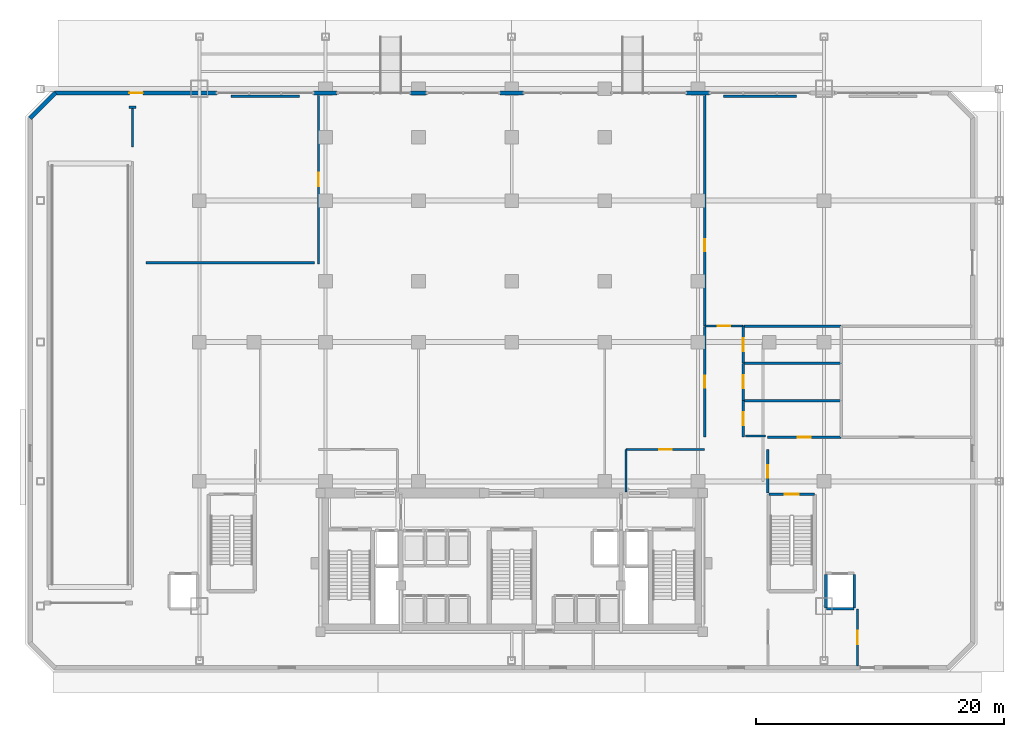
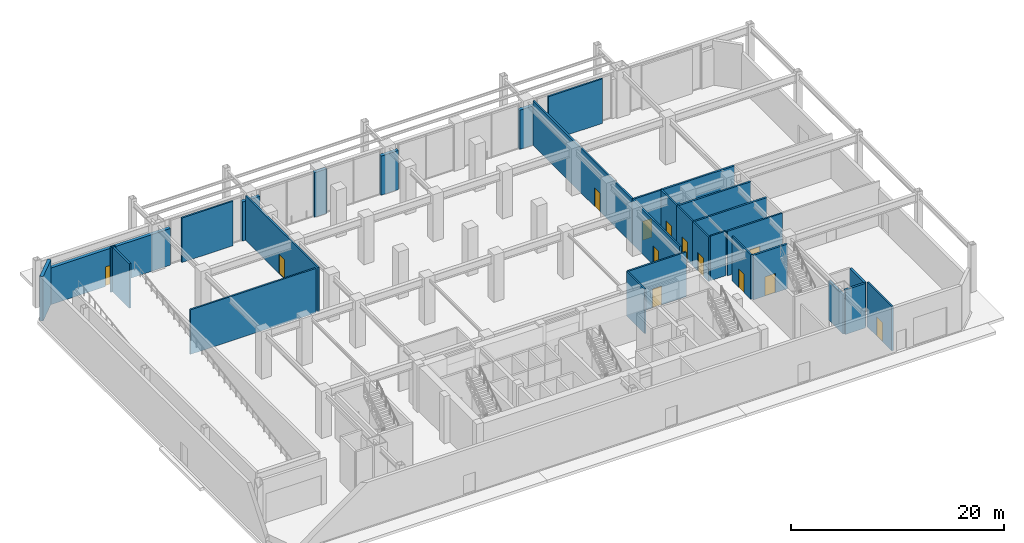
# One storey, part 18 of 23: 31 walls, 13 doors, 13 openings.
"""IFC4 building model written with IfcOpenShell, lengths in metres."""

from ifc_helpers import new_model, si_unit, direction, frame, frame_2d, origin, place, context, subcontext, project, spatial, rectangle, extrude, material, layer, layer_set, type_object, element, fill, save


model = new_model("IFC4")

# Units and contexts
model_context = context("Model", 3, precision=1e-05, world=origin(), true_north=direction((0.0, 1.0)))
body_context = subcontext(model_context, "Body", "Model", "MODEL_VIEW")
ifc_project = project(units=[si_unit("LENGTHUNIT", "METRE"), si_unit("AREAUNIT", "SQUARE_METRE"), si_unit("VOLUMEUNIT", "CUBIC_METRE"), si_unit("PLANEANGLEUNIT", "RADIAN"), si_unit("MASSUNIT", "GRAM", prefix="KILO")], contexts=[model_context])

# Site, building, storey
site_placement = place(None, origin())
site = spatial("IfcSite", under=ifc_project, at=site_placement, CompositionType="ELEMENT")
building_placement = place(site_placement, origin())
building = spatial("IfcBuilding", under=site, at=building_placement, Name="Ventersveld Concourse Tower", CompositionType="ELEMENT")
storey_placement = place(building_placement, origin())
storey = spatial("IfcBuildingStorey", under=building, at=storey_placement, Name="L00", CompositionType="ELEMENT", Elevation=0.0)

# Wall, opening, door
ifc_material_1 = material(Name="Fire-rated autoclaved aerated masonry blockwork", Category="masonry")
ifc_layer_1 = layer(ifc_material_1, 0.179931640625)
ifc_layer_set_1 = layer_set([ifc_layer_1], Name="Fire-rated autoclaved aerated masonry blockwork")
wall_type_1 = type_object("IfcWallType", Name="WL-CORR-180", PredefinedType="PARTITIONING", material=ifc_layer_set_1)
wall_1_placement = place(storey_placement, frame((13.199951171875, 29.905029296875, 0.0), z_axis=(0.0, 0.0, 1.0), x_axis=(0.0, 1.0, 0.0)))
wall_1 = element("IfcWall", 1, at=wall_1_placement, inside=storey, type_object=wall_type_1, Name="L00 Interior Partition SP-L00-CONC-SP-L00-FCC", PredefinedType="PARTITIONING", context=body_context, shape_type="SweptSolid", body=[
    extrude(rectangle(XDim=13.590087890625, YDim=0.179931640625, at=frame_2d((6.794921875, 0.0))), origin(), (0.0, 0.0, 1.0), 5.10009765625),
])
opening_1_placement = place(wall_1_placement, frame((6.2451171875, 0.0, 0.0)))
opening_1 = element("IfcOpeningElement", 2, at=opening_1_placement, cuts=wall_1, Name="Opening FD2", PredefinedType="OPENING", context=body_context, shape_type="SweptSolid", body=[
    extrude(rectangle(XDim=1.10009765625, YDim=2.199951171875, at=frame_2d((0.550048828125, 1.10009765625))), frame((0.0, 0.10009765625, 0.0), z_axis=(0.0, -1.0, 0.0), x_axis=(1.0, 0.0, 0.0)), (0.0, 0.0, 1.0), 0.199951171875),
])
ifc_material_2 = material(Name="Galvanised painted steel", Category="steel")
door_type_1 = type_object("IfcDoorType", Name="DR-FFL-110", OperationType="NOTDEFINED", PredefinedType="DOOR", material=ifc_material_2)
door_1_placement = place(opening_1_placement, origin())
door_1 = element("IfcDoor", 3, at=door_1_placement, inside=storey, type_object=door_type_1, Name="L00 Interior Door SP-L00-CONC to SP-L00-FCC (FD-L00-0060)", OperationType="SINGLE_SWING_RIGHT", OverallHeight=2.199951171875, OverallWidth=1.10009765625, PredefinedType="DOOR", context=body_context, shape_type="SweptSolid", body=[
    extrude(rectangle(XDim=1.10009765625, YDim=2.199951171875, at=frame_2d((0.550048828125, 1.10009765625))), frame((0.0, 0.02490234375, 0.0), z_axis=(0.0, -1.0, 0.0), x_axis=(1.0, 0.0, 0.0)), (0.0, 0.0, 1.0), 0.050048828125),
])
fill(opening_1, door_1)

wall_2_placement = place(storey_placement, frame((44.300048828125, 24.905029296875, 0.0), z_axis=(0.0, 0.0, 1.0), x_axis=(0.0, 1.0, 0.0)))
wall_2 = element("IfcWall", 4, at=wall_2_placement, inside=storey, type_object=wall_type_1, Name="L00 Interior Partition SP-L00-CONC-SP-L00-RET1", PredefinedType="PARTITIONING", context=body_context, shape_type="SweptSolid", body=[
    extrude(rectangle(XDim=18.590087890625, YDim=0.179931640625, at=frame_2d((9.294921875, 0.0))), origin(), (0.0, 0.0, 1.0), 5.10009765625),
])
opening_2_placement = place(wall_2_placement, frame((6.006591796875, 0.0, 0.0)))
opening_2 = element("IfcOpeningElement", 5, at=opening_2_placement, cuts=wall_2, Name="Opening FD3", PredefinedType="OPENING", context=body_context, shape_type="SweptSolid", body=[
    extrude(rectangle(XDim=1.0, YDim=2.14990234375, at=frame_2d((0.5, 1.074951171875))), frame((0.0, 0.10009765625, 0.0), z_axis=(0.0, -1.0, 0.0), x_axis=(1.0, 0.0, 0.0)), (0.0, 0.0, 1.0), 0.199951171875),
])
ifc_material_3 = material(Name="Solid-core hardwood veneer timber", Category="wood")
door_type_2 = type_object("IfcDoorType", Name="DR-FLAT-100", OperationType="NOTDEFINED", PredefinedType="DOOR", material=ifc_material_3)
door_2_placement = place(opening_2_placement, origin())
door_2 = element("IfcDoor", 6, at=door_2_placement, inside=storey, type_object=door_type_2, Name="L00 Interior Door SP-L00-CONC to SP-L00-RET1 (D-L00-0061)", OperationType="SINGLE_SWING_LEFT", OverallHeight=2.14990234375, OverallWidth=1.0, PredefinedType="DOOR", context=body_context, shape_type="SweptSolid", body=[
    extrude(rectangle(XDim=1.0, YDim=2.14990234375, at=frame_2d((0.5, 1.074951171875))), frame((0.0, 0.02490234375, 0.0), z_axis=(0.0, -1.0, 0.0), x_axis=(1.0, 0.0, 0.0)), (0.0, 0.0, 1.0), 0.050048828125),
])
fill(opening_2, door_2)

wall_3_placement = place(storey_placement, frame((44.300048828125, 15.955078125, 0.0), z_axis=(0.0, 0.0, 1.0), x_axis=(0.0, 1.0, 0.0)))
wall_3 = element("IfcWall", 7, at=wall_3_placement, inside=storey, type_object=wall_type_1, Name="L00 Interior Partition SP-L00-CONC-SP-L00-WCLOB", PredefinedType="PARTITIONING", context=body_context, shape_type="SweptSolid", body=[
    extrude(rectangle(XDim=8.919921875, YDim=0.179931640625, at=frame_2d((4.4599609375, 0.0))), origin(), (0.0, 0.0, 1.0), 5.10009765625),
])
opening_3_placement = place(wall_3_placement, frame((3.9599609375, 0.0, 0.0)))
opening_3 = element("IfcOpeningElement", 8, at=opening_3_placement, cuts=wall_3, Name="Opening FD3", PredefinedType="OPENING", context=body_context, shape_type="SweptSolid", body=[
    extrude(rectangle(XDim=1.0, YDim=2.14990234375, at=frame_2d((0.5, 1.074951171875))), frame((0.0, 0.10009765625, 0.0), z_axis=(0.0, -1.0, 0.0), x_axis=(1.0, 0.0, 0.0)), (0.0, 0.0, 1.0), 0.199951171875),
])
door_3_placement = place(opening_3_placement, origin())
door_3 = element("IfcDoor", 9, at=door_3_placement, inside=storey, type_object=door_type_2, Name="L00 Interior Door SP-L00-CONC to SP-L00-WCLOB (D-L00-0062)", OperationType="SINGLE_SWING_RIGHT", OverallHeight=2.14990234375, OverallWidth=1.0, PredefinedType="DOOR", context=body_context, shape_type="SweptSolid", body=[
    extrude(rectangle(XDim=1.0, YDim=2.14990234375, at=frame_2d((0.5, 1.074951171875))), frame((0.0, 0.02490234375, 0.0), z_axis=(0.0, -1.0, 0.0), x_axis=(1.0, 0.0, 0.0)), (0.0, 0.0, 1.0), 0.050048828125),
])
fill(opening_3, door_3)

wall_4_placement = place(storey_placement, frame((37.955078125, 14.949951171875, 0.0), z_axis=(0.0, 0.0, 1.0), x_axis=(1.0, 0.0, 0.0)))
wall_4 = element("IfcWall", 10, at=wall_4_placement, inside=storey, type_object=wall_type_1, Name="L00 Interior Partition SP-L00-CONC-SP-L00-EXP2", PredefinedType="PARTITIONING", context=body_context, shape_type="SweptSolid", body=[
    extrude(rectangle(XDim=6.33984375, YDim=0.179931640625, at=frame_2d((3.169921875, 0.0))), origin(), (0.0, 0.0, 1.0), 5.10009765625),
])
opening_4_placement = place(wall_4_placement, frame((2.669921875, 0.0, 0.0)))
opening_4 = element("IfcOpeningElement", 11, at=opening_4_placement, cuts=wall_4, Name="Opening FD3", PredefinedType="OPENING", context=body_context, shape_type="SweptSolid", body=[
    extrude(rectangle(XDim=1.0, YDim=2.14990234375, at=frame_2d((0.5, 1.074951171875))), frame((0.0, 0.10009765625, 0.0), z_axis=(0.0, -1.0, 0.0), x_axis=(1.0, 0.0, 0.0)), (0.0, 0.0, 1.0), 0.199951171875),
])
door_4_placement = place(opening_4_placement, origin())
door_4 = element("IfcDoor", 12, at=door_4_placement, inside=storey, type_object=door_type_2, Name="L00 Interior Door SP-L00-CONC to SP-L00-EXP2 (D-L00-0064)", OperationType="SINGLE_SWING_RIGHT", OverallHeight=2.14990234375, OverallWidth=1.0, PredefinedType="DOOR", context=body_context, shape_type="SweptSolid", body=[
    extrude(rectangle(XDim=1.0, YDim=2.14990234375, at=frame_2d((0.5, 1.074951171875))), frame((0.0, 0.02490234375, 0.0), z_axis=(0.0, -1.0, 0.0), x_axis=(1.0, 0.0, 0.0)), (0.0, 0.0, 1.0), 0.050048828125),
])
fill(opening_4, door_4)

# Wall
wall_5_placement = place(storey_placement, frame((37.949951171875, 11.554931640625, 0.0), z_axis=(0.0, 0.0, 1.0), x_axis=(0.0, 1.0, 0.0)))
element("IfcWall", 13, at=wall_5_placement, inside=storey, type_object=wall_type_1, Name="L00 Interior Partition SP-L00-CONC-SP-L00-EXP2", PredefinedType="PARTITIONING", context=body_context, shape_type="SweptSolid", body=[
    extrude(rectangle(XDim=3.39013671875, YDim=0.179931640625, at=frame_2d((1.695068359375, 0.0))), origin(), (0.0, 0.0, 1.0), 5.10009765625),
])

# Wall, opening, door
wall_6_placement = place(storey_placement, frame((44.304931640625, 24.89990234375, 0.0), z_axis=(0.0, 0.0, 1.0), x_axis=(1.0, 0.0, 0.0)))
wall_6 = element("IfcWall", 14, at=wall_6_placement, inside=storey, type_object=wall_type_1, Name="L00 Interior Partition SP-L00-RET1-SP-L00-WCLOB", PredefinedType="PARTITIONING", context=body_context, shape_type="SweptSolid", body=[
    extrude(rectangle(XDim=3.090087890625, YDim=0.179931640625, at=frame_2d((1.544921875, 0.0))), origin(), (0.0, 0.0, 1.0), 5.10009765625),
])
opening_5_placement = place(wall_6_placement, frame((1.044921875, 0.0, 0.0)))
opening_5 = element("IfcOpeningElement", 15, at=opening_5_placement, cuts=wall_6, Name="Opening FD3", PredefinedType="OPENING", context=body_context, shape_type="SweptSolid", body=[
    extrude(rectangle(XDim=1.0, YDim=2.14990234375, at=frame_2d((0.5, 1.074951171875))), frame((0.0, 0.10009765625, 0.0), z_axis=(0.0, -1.0, 0.0), x_axis=(1.0, 0.0, 0.0)), (0.0, 0.0, 1.0), 0.199951171875),
])
door_5_placement = place(opening_5_placement, origin())
door_5 = element("IfcDoor", 16, at=door_5_placement, inside=storey, type_object=door_type_2, Name="L00 Interior Door SP-L00-RET1 to SP-L00-WCLOB (D-L00-0065)", OperationType="SINGLE_SWING_LEFT", OverallHeight=2.14990234375, OverallWidth=1.0, PredefinedType="DOOR", context=body_context, shape_type="SweptSolid", body=[
    extrude(rectangle(XDim=1.0, YDim=2.14990234375, at=frame_2d((0.5, 1.074951171875))), frame((0.0, 0.02490234375, 0.0), z_axis=(0.0, -1.0, 0.0), x_axis=(1.0, 0.0, 0.0)), (0.0, 0.0, 1.0), 0.050048828125),
])
fill(opening_5, door_5)

wall_7_placement = place(storey_placement, frame((56.610107421875, -2.47509765625, 0.0), z_axis=(0.0, 0.0, 1.0), x_axis=(0.0, 1.0, 0.0)))
wall_7 = element("IfcWall", 17, at=wall_7_placement, inside=storey, type_object=wall_type_1, Name="L00 Interior Partition SP-L00-LOAD-SP-L00-SVCOR", PredefinedType="PARTITIONING", context=body_context, shape_type="SweptSolid", body=[
    extrude(rectangle(XDim=4.590087890625, YDim=0.179931640625, at=frame_2d((2.294921875, 0.0))), origin(), (0.0, 0.0, 1.0), 5.10009765625),
])
opening_6_placement = place(wall_7_placement, frame((1.7451171875, 0.0, 0.0)))
opening_6 = element("IfcOpeningElement", 18, at=opening_6_placement, cuts=wall_7, Name="Opening FD2", PredefinedType="OPENING", context=body_context, shape_type="SweptSolid", body=[
    extrude(rectangle(XDim=1.10009765625, YDim=2.199951171875, at=frame_2d((0.550048828125, 1.10009765625))), frame((0.0, 0.10009765625, 0.0), z_axis=(0.0, -1.0, 0.0), x_axis=(1.0, 0.0, 0.0)), (0.0, 0.0, 1.0), 0.199951171875),
])
door_6_placement = place(opening_6_placement, origin())
door_6 = element("IfcDoor", 19, at=door_6_placement, inside=storey, type_object=door_type_1, Name="L00 Interior Door SP-L00-LOAD to SP-L00-SVCOR (FD-L00-0066)", OperationType="SINGLE_SWING_RIGHT", OverallHeight=2.199951171875, OverallWidth=1.10009765625, PredefinedType="DOOR", context=body_context, shape_type="SweptSolid", body=[
    extrude(rectangle(XDim=1.10009765625, YDim=2.199951171875, at=frame_2d((0.550048828125, 1.10009765625))), frame((0.0, 0.02490234375, 0.0), z_axis=(0.0, -1.0, 0.0), x_axis=(1.0, 0.0, 0.0)), (0.0, 0.0, 1.0), 0.050048828125),
])
fill(opening_6, door_6)

wall_8_placement = place(storey_placement, frame((47.39990234375, 15.955078125, 0.0), z_axis=(0.0, 0.0, 1.0), x_axis=(0.0, 1.0, 0.0)))
wall_8 = element("IfcWall", 20, at=wall_8_placement, inside=storey, type_object=wall_type_1, Name="L00 Interior Partition SP-L00-WCLOB-SP-L00-MWC", PredefinedType="PARTITIONING", context=body_context, shape_type="SweptSolid", body=[
    extrude(rectangle(XDim=2.93994140625, YDim=0.179931640625, at=frame_2d((1.469970703125, 0.0))), origin(), (0.0, 0.0, 1.0), 5.10009765625),
])
opening_7_placement = place(wall_8_placement, frame((0.945068359375, 0.0, 0.0)))
opening_7 = element("IfcOpeningElement", 21, at=opening_7_placement, cuts=wall_8, Name="Opening ID3", PredefinedType="OPENING", context=body_context, shape_type="SweptSolid", body=[
    extrude(rectangle(XDim=1.050048828125, YDim=2.14990234375, at=frame_2d((0.52490234375, 1.074951171875))), frame((0.0, 0.10009765625, 0.0), z_axis=(0.0, -1.0, 0.0), x_axis=(1.0, 0.0, 0.0)), (0.0, 0.0, 1.0), 0.199951171875),
])
door_type_3 = type_object("IfcDoorType", Name="DR-AWC-105", OperationType="NOTDEFINED", PredefinedType="DOOR", material=ifc_material_3)
door_7_placement = place(opening_7_placement, origin())
door_7 = element("IfcDoor", 22, at=door_7_placement, inside=storey, type_object=door_type_3, Name="L00 Interior Door SP-L00-WCLOB to SP-L00-MWC (WD-L00-0069)", OperationType="SINGLE_SWING_LEFT", OverallHeight=2.14990234375, OverallWidth=1.050048828125, PredefinedType="DOOR", context=body_context, shape_type="SweptSolid", body=[
    extrude(rectangle(XDim=1.050048828125, YDim=2.14990234375, at=frame_2d((0.52490234375, 1.074951171875))), frame((0.0, 0.02490234375, 0.0), z_axis=(0.0, -1.0, 0.0), x_axis=(1.0, 0.0, 0.0)), (0.0, 0.0, 1.0), 0.050048828125),
])
fill(opening_7, door_7)

wall_9_placement = place(storey_placement, frame((47.39990234375, 18.925048828125, 0.0), z_axis=(0.0, 0.0, 1.0), x_axis=(0.0, 1.0, 0.0)))
wall_9 = element("IfcWall", 23, at=wall_9_placement, inside=storey, type_object=wall_type_1, Name="L00 Interior Partition SP-L00-WCLOB-SP-L00-FWC", PredefinedType="PARTITIONING", context=body_context, shape_type="SweptSolid", body=[
    extrude(rectangle(XDim=2.969970703125, YDim=0.179931640625, at=frame_2d((1.48486328125, 0.0))), origin(), (0.0, 0.0, 1.0), 5.10009765625),
])
opening_8_placement = place(wall_9_placement, frame((0.9599609375, 0.0, 0.0)))
opening_8 = element("IfcOpeningElement", 24, at=opening_8_placement, cuts=wall_9, Name="Opening ID3", PredefinedType="OPENING", context=body_context, shape_type="SweptSolid", body=[
    extrude(rectangle(XDim=1.050048828125, YDim=2.14990234375, at=frame_2d((0.52490234375, 1.074951171875))), frame((0.0, 0.10009765625, 0.0), z_axis=(0.0, -1.0, 0.0), x_axis=(1.0, 0.0, 0.0)), (0.0, 0.0, 1.0), 0.199951171875),
])
door_8_placement = place(opening_8_placement, origin())
door_8 = element("IfcDoor", 25, at=door_8_placement, inside=storey, type_object=door_type_3, Name="L00 Interior Door SP-L00-WCLOB to SP-L00-FWC (WD-L00-0070)", OperationType="SINGLE_SWING_RIGHT", OverallHeight=2.14990234375, OverallWidth=1.050048828125, PredefinedType="DOOR", context=body_context, shape_type="SweptSolid", body=[
    extrude(rectangle(XDim=1.050048828125, YDim=2.14990234375, at=frame_2d((0.52490234375, 1.074951171875))), frame((0.0, 0.02490234375, 0.0), z_axis=(0.0, -1.0, 0.0), x_axis=(1.0, 0.0, 0.0)), (0.0, 0.0, 1.0), 0.050048828125),
])
fill(opening_8, door_8)

wall_10_placement = place(storey_placement, frame((47.39990234375, 21.925048828125, 0.0), z_axis=(0.0, 0.0, 1.0), x_axis=(0.0, 1.0, 0.0)))
wall_10 = element("IfcWall", 26, at=wall_10_placement, inside=storey, type_object=wall_type_1, Name="L00 Interior Partition SP-L00-WCLOB-SP-L00-AWC", PredefinedType="PARTITIONING", context=body_context, shape_type="SweptSolid", body=[
    extrude(rectangle(XDim=2.969970703125, YDim=0.179931640625, at=frame_2d((1.48486328125, 0.0))), origin(), (0.0, 0.0, 1.0), 5.10009765625),
])
opening_9_placement = place(wall_10_placement, frame((0.9599609375, 0.0, 0.0)))
opening_9 = element("IfcOpeningElement", 27, at=opening_9_placement, cuts=wall_10, Name="Opening ID3", PredefinedType="OPENING", context=body_context, shape_type="SweptSolid", body=[
    extrude(rectangle(XDim=1.050048828125, YDim=2.14990234375, at=frame_2d((0.52490234375, 1.074951171875))), frame((0.0, 0.10009765625, 0.0), z_axis=(0.0, -1.0, 0.0), x_axis=(1.0, 0.0, 0.0)), (0.0, 0.0, 1.0), 0.199951171875),
])
door_9_placement = place(opening_9_placement, origin())
door_9 = element("IfcDoor", 28, at=door_9_placement, inside=storey, type_object=door_type_3, Name="L00 Interior Door SP-L00-WCLOB to SP-L00-AWC (WD-L00-0071)", OperationType="SINGLE_SWING_LEFT", OverallHeight=2.14990234375, OverallWidth=1.050048828125, PredefinedType="DOOR", context=body_context, shape_type="SweptSolid", body=[
    extrude(rectangle(XDim=1.050048828125, YDim=2.14990234375, at=frame_2d((0.52490234375, 1.074951171875))), frame((0.0, 0.02490234375, 0.0), z_axis=(0.0, -1.0, 0.0), x_axis=(1.0, 0.0, 0.0)), (0.0, 0.0, 1.0), 0.050048828125),
])
fill(opening_9, door_9)

wall_11_placement = place(storey_placement, frame((49.35498046875, 15.949951171875, 0.0), z_axis=(0.0, 0.0, 1.0), x_axis=(1.0, 0.0, 0.0)))
wall_11 = element("IfcWall", 29, at=wall_11_placement, inside=storey, type_object=wall_type_1, Name="L00 Interior Partition SP-L00-MWC-SP-L00-EXP5", PredefinedType="PARTITIONING", context=body_context, shape_type="SweptSolid", body=[
    extrude(rectangle(XDim=5.919921875, YDim=0.179931640625, at=frame_2d((2.9599609375, 0.0))), origin(), (0.0, 0.0, 1.0), 5.10009765625),
])
opening_10_placement = place(wall_11_placement, frame((2.43505859375, 0.0, 0.0)))
opening_10 = element("IfcOpeningElement", 30, at=opening_10_placement, cuts=wall_11, Name="Opening ID3", PredefinedType="OPENING", context=body_context, shape_type="SweptSolid", body=[
    extrude(rectangle(XDim=1.050048828125, YDim=2.14990234375, at=frame_2d((0.52490234375, 1.074951171875))), frame((0.0, 0.10009765625, 0.0), z_axis=(0.0, -1.0, 0.0), x_axis=(1.0, 0.0, 0.0)), (0.0, 0.0, 1.0), 0.199951171875),
])
door_10_placement = place(opening_10_placement, origin())
door_10 = element("IfcDoor", 31, at=door_10_placement, inside=storey, type_object=door_type_3, Name="L00 Interior Door SP-L00-MWC to SP-L00-EXP5 (WD-L00-0072)", OperationType="SINGLE_SWING_RIGHT", OverallHeight=2.14990234375, OverallWidth=1.050048828125, PredefinedType="DOOR", context=body_context, shape_type="SweptSolid", body=[
    extrude(rectangle(XDim=1.050048828125, YDim=2.14990234375, at=frame_2d((0.52490234375, 1.074951171875))), frame((0.0, 0.02490234375, 0.0), z_axis=(0.0, -1.0, 0.0), x_axis=(1.0, 0.0, 0.0)), (0.0, 0.0, 1.0), 0.050048828125),
])
fill(opening_10, door_10)

wall_12_placement = place(storey_placement, frame((49.375, 11.455078125, 0.0), z_axis=(0.0, 0.0, 1.0), x_axis=(0.0, 1.0, 0.0)))
wall_12 = element("IfcWall", 32, at=wall_12_placement, inside=storey, type_object=wall_type_1, Name="L00 Interior Partition SP-L00-EXP2-SP-L00-EXP5", PredefinedType="PARTITIONING", context=body_context, shape_type="SweptSolid", body=[
    extrude(rectangle(XDim=3.489990234375, YDim=0.179931640625, at=frame_2d((1.7451171875, 0.0))), origin(), (0.0, 0.0, 1.0), 5.10009765625),
])
opening_11_placement = place(wall_12_placement, frame((1.2451171875, 0.0, 0.0)))
opening_11 = element("IfcOpeningElement", 33, at=opening_11_placement, cuts=wall_12, Name="Opening FD3", PredefinedType="OPENING", context=body_context, shape_type="SweptSolid", body=[
    extrude(rectangle(XDim=1.0, YDim=2.14990234375, at=frame_2d((0.5, 1.074951171875))), frame((0.0, 0.10009765625, 0.0), z_axis=(0.0, -1.0, 0.0), x_axis=(1.0, 0.0, 0.0)), (0.0, 0.0, 1.0), 0.199951171875),
])
door_11_placement = place(opening_11_placement, origin())
door_11 = element("IfcDoor", 34, at=door_11_placement, inside=storey, type_object=door_type_2, Name="L00 Interior Door SP-L00-EXP2 to SP-L00-EXP5 (D-L00-0074)", OperationType="SINGLE_SWING_RIGHT", OverallHeight=2.14990234375, OverallWidth=1.0, PredefinedType="DOOR", context=body_context, shape_type="SweptSolid", body=[
    extrude(rectangle(XDim=1.0, YDim=2.14990234375, at=frame_2d((0.5, 1.074951171875))), frame((0.0, 0.02490234375, 0.0), z_axis=(0.0, -1.0, 0.0), x_axis=(1.0, 0.0, 0.0)), (0.0, 0.0, 1.0), 0.050048828125),
])
fill(opening_11, door_11)

# Walls
wall_13_placement = place(storey_placement, frame((-0.705078125, 30.0, 0.0), z_axis=(0.0, 0.0, 1.0), x_axis=(1.0, 0.0, 0.0)))
element("IfcWall", 35, at=wall_13_placement, inside=storey, type_object=wall_type_1, Name="L00 Room Enclosure Wall SP-L00-FCC", PredefinedType="PARTITIONING", context=body_context, shape_type="SweptSolid", body=[
    extrude(rectangle(XDim=13.580078125, YDim=0.179931640625, at=frame_2d((6.7900390625, 0.0))), origin(), (0.0, 0.0, 1.0), 5.10009765625),
])
wall_14_placement = place(storey_placement, frame((11.675537109375, 43.39990234375, 0.0), z_axis=(0.0, 0.0, 1.0), x_axis=(-1.0, 0.0, 0.0)))
element("IfcWall", 36, at=wall_14_placement, inside=storey, type_object=wall_type_1, Name="L00 Room Enclosure Wall SP-L00-FCC", PredefinedType="PARTITIONING", context=body_context, shape_type="SweptSolid", body=[
    extrude(rectangle(XDim=5.551025390625, YDim=0.179931640625, at=frame_2d((2.775390625, 0.0))), origin(), (0.0, 0.0, 1.0), 5.10009765625),
])
wall_15_placement = place(storey_placement, frame((-1.800048828125, 42.514892578125, 0.0), z_axis=(0.0, 0.0, 1.0), x_axis=(0.0, -1.0, 0.0)))
element("IfcWall", 37, at=wall_15_placement, inside=storey, type_object=wall_type_1, Name="L00 Room Enclosure Wall SP-L00-FCC", PredefinedType="PARTITIONING", context=body_context, shape_type="SweptSolid", body=[
    extrude(rectangle(XDim=3.212890625, YDim=0.179931640625, at=frame_2d((1.6064453125, 0.0))), origin(), (0.0, 0.0, 1.0), 5.10009765625),
])
wall_16_placement = place(storey_placement, frame((-1.52001953125, 42.514892578125, 0.0), z_axis=(0.0, 0.0, 1.0), x_axis=(-1.0, 0.0, 0.0)))
element("IfcWall", 38, at=wall_16_placement, inside=storey, type_object=wall_type_1, Name="L00 Facade Mullion Closure Return", PredefinedType="PARTITIONING", context=body_context, shape_type="SweptSolid", body=[
    extrude(rectangle(XDim=0.56005859375, YDim=0.179931640625, at=frame_2d((0.280029296875, 0.0))), origin(), (0.0, 0.0, 1.0), 5.10009765625),
])
wall_17_placement = place(storey_placement, frame((51.675537109375, 43.39990234375, 0.0), z_axis=(0.0, 0.0, 1.0), x_axis=(-1.0, 0.0, 0.0)))
element("IfcWall", 39, at=wall_17_placement, inside=storey, type_object=wall_type_1, Name="L00 Room Enclosure Wall SP-L00-RET1", PredefinedType="PARTITIONING", context=body_context, shape_type="SweptSolid", body=[
    extrude(rectangle(XDim=5.85107421875, YDim=0.179931640625, at=frame_2d((2.925537109375, 0.0))), origin(), (0.0, 0.0, 1.0), 5.10009765625),
])
ifc_layer_2 = layer(ifc_material_1, 0.199951171875)
ifc_layer_set_2 = layer_set([ifc_layer_2], Name="Fire-rated autoclaved aerated masonry blockwork")
wall_type_2 = type_object("IfcWallType", Name="WL-DEMISE-200", PredefinedType="PARTITIONING", material=ifc_layer_set_2)
wall_18_placement = place(storey_placement, frame((47.425048828125, 24.89990234375, 0.0), z_axis=(0.0, 0.0, 1.0), x_axis=(1.0, 0.0, 0.0)))
element("IfcWall", 40, at=wall_18_placement, inside=storey, type_object=wall_type_2, Name="L00 Interior Partition SP-L00-RET1-SP-L00-AWC", PredefinedType="PARTITIONING", context=body_context, shape_type="SweptSolid", body=[
    extrude(rectangle(XDim=7.849853515625, YDim=0.199951171875, at=frame_2d((3.9248046875, 0.0))), origin(), (0.0, 0.0, 1.0), 5.10009765625),
])
for number, where, z_axis, x_axis, name in (
    (41, (47.405029296875, 18.889892578125, 0.0), (0.0, 0.0, 1.0), (1.0, 0.0, 0.0), "L00 Interior Partition SP-L00-MWC-SP-L00-FWC"),
    (42, (47.405029296875, 21.889892578125, 0.0), (0.0, 0.0, 1.0), (1.0, 0.0, 0.0), "L00 Interior Partition SP-L00-FWC-SP-L00-AWC"),
):
    element("IfcWall", number, at=place(storey_placement, frame(where, z_axis=z_axis, x_axis=x_axis)), inside=storey, type_object=wall_type_2, Name=name, PredefinedType="PARTITIONING", context=body_context, shape_type="SweptSolid", body=[
        extrude(rectangle(XDim=7.889892578125, YDim=0.199951171875, at=frame_2d((3.94482421875, 0.0))), origin(), (0.0, 0.0, 1.0), 5.10009765625),
    ])
ifc_layer_3 = layer(ifc_material_1, 0.219970703125)
ifc_layer_set_3 = layer_set([ifc_layer_3], Name="Fire-rated autoclaved aerated masonry blockwork")
wall_type_3 = type_object("IfcWallType", Name="WL-HOIST-220", PredefinedType="SOLIDWALL", material=ifc_layer_set_3)
wall_19_placement = place(storey_placement, frame((54.10009765625, 2.139892578125, 0.0), z_axis=(0.0, 0.0, 1.0), x_axis=(1.0, 0.0, 0.0)))
element("IfcWall", 43, at=wall_19_placement, inside=storey, type_object=wall_type_3, Name="L00 Lift Hoistway Back Wall SL-02", PredefinedType="SOLIDWALL", context=body_context, shape_type="SweptSolid", body=[
    extrude(rectangle(XDim=2.199951171875, YDim=0.219970703125, at=frame_2d((1.10009765625, 0.0))), origin(), (0.0, 0.0, 1.0), 5.10009765625),
])
wall_20_placement = place(storey_placement, frame((54.06005859375, 2.199951171875, 0.0), z_axis=(0.0, 0.0, 1.0), x_axis=(0.0, 1.0, 0.0)))
element("IfcWall", 44, at=wall_20_placement, inside=storey, type_object=wall_type_3, Name="L00 Lift Hoistway Side Wall SL-02W", PredefinedType="SOLIDWALL", context=body_context, shape_type="SweptSolid", body=[
    extrude(rectangle(XDim=2.699951171875, YDim=0.219970703125, at=frame_2d((1.35009765625, 0.0))), origin(), (0.0, 0.0, 1.0), 4.48291015625),
])
wall_21_placement = place(storey_placement, frame((56.340087890625, 2.199951171875, 0.0), z_axis=(0.0, 0.0, 1.0), x_axis=(0.0, 1.0, 0.0)))
element("IfcWall", 45, at=wall_21_placement, inside=storey, type_object=wall_type_3, Name="L00 Lift Hoistway Side Wall SL-02E", PredefinedType="SOLIDWALL", context=body_context, shape_type="SweptSolid", body=[
    extrude(rectangle(XDim=2.699951171875, YDim=0.219970703125, at=frame_2d((1.35009765625, 0.0))), origin(), (0.0, 0.0, 1.0), 5.10009765625),
])

# Wall, opening, door
wall_22_placement = place(storey_placement, frame((49.4599609375, 11.35009765625, 0.0), z_axis=(0.0, 0.0, 1.0), x_axis=(1.0, 0.0, 0.0)))
wall_22 = element("IfcWall", 46, at=wall_22_placement, inside=storey, type_object=wall_type_3, Name="L00 Escape Stair ST05 Fire Wall", PredefinedType="SOLIDWALL", context=body_context, shape_type="SweptSolid", body=[
    extrude(rectangle(XDim=3.679931640625, YDim=0.219970703125, at=frame_2d((1.83984375, 0.0))), origin(), (0.0, 0.0, 1.0), 5.10009765625),
])
opening_12_placement = place(wall_22_placement, frame((1.264892578125, 0.0, 0.0)))
opening_12 = element("IfcOpeningElement", 47, at=opening_12_placement, cuts=wall_22, Name="Opening FD1", PredefinedType="OPENING", context=body_context, shape_type="SweptSolid", body=[
    extrude(rectangle(XDim=1.14990234375, YDim=2.199951171875, at=frame_2d((0.574951171875, 1.10009765625))), frame((0.0, 0.1201171875, 0.0), z_axis=(0.0, -1.0, 0.0), x_axis=(1.0, 0.0, 0.0)), (0.0, 0.0, 1.0), 0.239990234375),
])
door_type_4 = type_object("IfcDoorType", Name="DR-STAIR-115", OperationType="NOTDEFINED", PredefinedType="DOOR", material=ifc_material_2)
door_12_placement = place(opening_12_placement, origin())
door_12 = element("IfcDoor", 48, at=door_12_placement, inside=storey, type_object=door_type_4, Name="L00 Escape Stair Door ST05 (SD-L00-0054)", OperationType="SINGLE_SWING_LEFT", OverallHeight=2.199951171875, OverallWidth=1.14990234375, PredefinedType="DOOR", context=body_context, shape_type="SweptSolid", body=[
    extrude(rectangle(XDim=1.14990234375, YDim=2.199951171875, at=frame_2d((0.574951171875, 1.10009765625))), frame((0.0, 0.02490234375, 0.0), z_axis=(0.0, -1.0, 0.0), x_axis=(1.0, 0.0, 0.0)), (0.0, 0.0, 1.0), 0.050048828125),
])
fill(opening_12, door_12)

ifc_material_4 = material(Name="Precast concrete C45/55", Category="concrete")
ifc_layer_4 = layer(ifc_material_4, 0.35009765625)
ifc_layer_set_4 = layer_set([ifc_layer_4], Name="Precast concrete C45/55")
wall_type_4 = type_object("IfcWallType", Name="WL-PREC-350", PredefinedType="SOLIDWALL", material=ifc_layer_set_4)
wall_23_placement = place(storey_placement, frame((-8.06005859375, 43.669921875, 0.0), z_axis=(0.0, 0.0, 1.0), x_axis=(1.0, 0.0, 0.0)))
wall_23 = element("IfcWall", 49, at=wall_23_placement, inside=storey, type_object=wall_type_4, Name="L00 Concourse North Precast Pier NW", PredefinedType="SOLIDWALL", context=body_context, shape_type="SweptSolid", body=[
    extrude(rectangle(XDim=13.06005859375, YDim=0.35009765625, at=frame_2d((6.530029296875, 0.0))), origin(), (0.0, 0.0, 1.0), 4.199951171875),
])
opening_13_placement = place(wall_23_placement, frame((6.02001953125, 0.0, 0.0)))
opening_13 = element("IfcOpeningElement", 50, at=opening_13_placement, cuts=wall_23, Name="Opening ED2", PredefinedType="OPENING", context=body_context, shape_type="SweptSolid", body=[
    extrude(rectangle(XDim=1.080078125, YDim=2.25, at=frame_2d((0.5400390625, 1.125))), frame((0.0, 0.18505859375, 0.0), z_axis=(0.0, -1.0, 0.0), x_axis=(1.0, 0.0, 0.0)), (0.0, 0.0, 1.0), 0.3701171875),
])
ifc_material_5 = material(Name="Anodised aluminium EN AW-6063-T6", Category="aluminium")
door_type_5 = type_object("IfcDoorType", Name="DR-EXT-SGL-108", OperationType="NOTDEFINED", PredefinedType="DOOR", material=ifc_material_5)
door_13_placement = place(opening_13_placement, frame((1.080078125, 0.0, 0.0), z_axis=(0.0, 0.0, 1.0), x_axis=(-1.0, 0.0, 0.0)))
door_13 = element("IfcDoor", 51, at=door_13_placement, inside=storey, type_object=door_type_5, Name="L00 North Street Entrance Door FCC (D-L00-003)", OperationType="SINGLE_SWING_RIGHT", OverallHeight=2.25, OverallWidth=1.080078125, PredefinedType="DOOR", context=body_context, shape_type="SweptSolid", body=[
    extrude(rectangle(XDim=1.080078125, YDim=2.25, at=frame_2d((0.5400390625, 1.125))), frame((0.0, 0.02490234375, 0.0), z_axis=(0.0, -1.0, 0.0), x_axis=(1.0, 0.0, 0.0)), (0.0, 0.0, 1.0), 0.050048828125),
])
fill(opening_13, door_13)

# Walls
wall_24_placement = place(storey_placement, frame((12.800048828125, 43.669921875, 0.0), z_axis=(0.0, 0.0, 1.0), x_axis=(1.0, 0.0, 0.0)))
element("IfcWall", 52, at=wall_24_placement, inside=storey, type_object=wall_type_4, Name="L00 Concourse North Precast Pier P1", PredefinedType="SOLIDWALL", context=body_context, shape_type="SweptSolid", body=[
    extrude(rectangle(XDim=1.89990234375, YDim=0.35009765625, at=frame_2d((0.949951171875, 0.0))), origin(), (0.0, 0.0, 1.0), 4.48291015625),
])
wall_25_placement = place(storey_placement, frame((20.60009765625, 43.669921875, 0.0), z_axis=(0.0, 0.0, 1.0), x_axis=(1.0, 0.0, 0.0)))
element("IfcWall", 53, at=wall_25_placement, inside=storey, type_object=wall_type_4, Name="L00 Concourse North Precast Pier P2", PredefinedType="SOLIDWALL", context=body_context, shape_type="SweptSolid", body=[
    extrude(rectangle(XDim=1.2998046875, YDim=0.35009765625, at=frame_2d((0.64990234375, 0.0))), origin(), (0.0, 0.0, 1.0), 5.10009765625),
])
for number, where, z_axis, x_axis, name in (
    (54, (27.800048828125, 43.669921875, 0.0), (0.0, 0.0, 1.0), (1.0, 0.0, 0.0), "L00 Concourse North Precast Pier P3"),
    (55, (42.800048828125, 43.669921875, 0.0), (0.0, 0.0, 1.0), (1.0, 0.0, 0.0), "L00 Concourse North Precast Pier P4"),
):
    element("IfcWall", number, at=place(storey_placement, frame(where, z_axis=z_axis, x_axis=x_axis)), inside=storey, type_object=wall_type_4, Name=name, PredefinedType="SOLIDWALL", context=body_context, shape_type="SweptSolid", body=[
        extrude(rectangle(XDim=1.89990234375, YDim=0.35009765625, at=frame_2d((0.949951171875, 0.0))), origin(), (0.0, 0.0, 1.0), 4.48291015625),
    ])
wall_26_placement = place(storey_placement, frame((-8.0009765625, 43.6943359375, 0.0), z_axis=(0.0, 0.0, 1.0), x_axis=(-0.707106781187, -0.707106781187, 0.0)))
element("IfcWall", 56, at=wall_26_placement, inside=storey, type_object=wall_type_4, Name="L00 Podium Precast Perimeter Wall 06", PredefinedType="SOLIDWALL", context=body_context, shape_type="SweptSolid", body=[
    extrude(rectangle(XDim=2.889892578125, YDim=0.35009765625, at=frame_2d((1.44482421875, 0.0))), origin(), (0.0, 0.0, 1.0), 5.10009765625),
])
ifc_material_6 = material(Name="Autoclaved aerated masonry blockwork", Category="masonry")
ifc_layer_5 = layer(ifc_material_6, 0.1650390625)
ifc_layer_set_5 = layer_set([ifc_layer_5], Name="Autoclaved aerated masonry blockwork")
wall_type_5 = type_object("IfcWallType", Name="WL-WET-165", PredefinedType="PLUMBINGWALL", material=ifc_layer_set_5)
wall_27_placement = place(storey_placement, frame((47.56494140625, 16.050048828125, 0.0), z_axis=(0.0, 0.0, 1.0), x_axis=(1.0, 0.0, 0.0)))
element("IfcWall", 57, at=wall_27_placement, inside=storey, type_object=wall_type_5, Name="L00 Room Enclosure Wall SP-L00-MWC", PredefinedType="PLUMBINGWALL", context=body_context, shape_type="SweptSolid", body=[
    extrude(rectangle(XDim=1.64501953125, YDim=0.1650390625, at=frame_2d((0.822509765625, 0.0))), origin(), (0.0, 0.0, 1.0), 5.10009765625),
])

save(model, "model.ifc")
